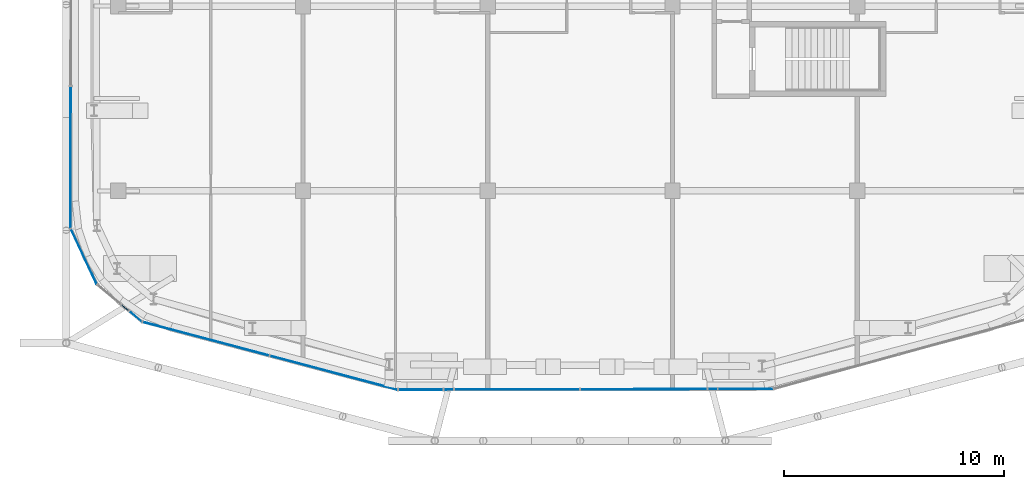
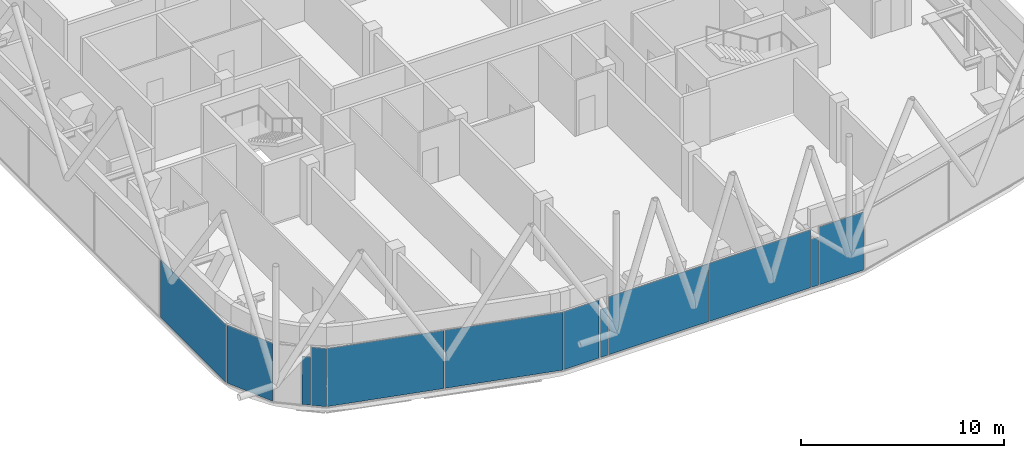
# One storey, part 14 of 25: 12 plates, 10 elements without a shape of their own.
"""IFC4 building model written with IfcOpenShell, lengths in metres."""

from ifc_helpers import new_model, si_unit, direction, frame, origin, origin_2d, place, context, subcontext, project, spatial, rectangle, extrude, material, layer, layer_set, type_object, element, aggregate, save


model = new_model("IFC4")

# Units and contexts
model_context = context("Model", 3, precision=1e-05, world=origin(), true_north=direction((0.0, 1.0)))
body_context = subcontext(model_context, "Body", "Model", "MODEL_VIEW")
ifc_project = project(units=[si_unit("LENGTHUNIT", "METRE"), si_unit("AREAUNIT", "SQUARE_METRE"), si_unit("VOLUMEUNIT", "CUBIC_METRE"), si_unit("PLANEANGLEUNIT", "RADIAN"), si_unit("MASSUNIT", "GRAM", prefix="KILO")], contexts=[model_context])

# Site, building, storey
site_placement = place(None, origin())
site = spatial("IfcSite", under=ifc_project, at=site_placement, CompositionType="ELEMENT")
building_placement = place(site_placement, origin())
building = spatial("IfcBuilding", under=site, at=building_placement, Name="Marenta Gate Hotel Tower", CompositionType="ELEMENT")
storey_placement = place(building_placement, frame((0.0, 0.0, 277.699951171875)))
storey = spatial("IfcBuildingStorey", under=building, at=storey_placement, Name="L64", CompositionType="ELEMENT", Elevation=277.699951171875)

# Curtain wall, plate
ifc_material_1 = material(Name="Tinted insulated glass in bronze anodised frame", Category="glass")
ifc_layer_1 = layer(ifc_material_1, 0.1201171875)
ifc_layer_set_1 = layer_set([ifc_layer_1], Name="Tinted insulated glass in bronze anodised frame")
curtain_wall_type = type_object("IfcCurtainWallType", Name="Tower unitised curtain wall CW1", PredefinedType="NOTDEFINED", material=ifc_layer_set_1)
curtain_wall_1_placement = place(storey_placement, origin())
curtain_wall_1 = element("IfcCurtainWall", 1, at=curtain_wall_1_placement, inside=storey, type_object=curtain_wall_type, Name="CW1 run G04", PredefinedType="NOTDEFINED")
ifc_material_2 = material(Name="Tinted insulated glass", Category="glass")
ifc_layer_2 = layer(ifc_material_2, 0.028076171875)
ifc_layer_set_2 = layer_set([ifc_layer_2], Name="Tinted insulated glass")
plate_type = type_object("IfcPlateType", Name="Glass panel CW1 28 mm tinted insulated unit", PredefinedType="CURTAIN_PANEL", material=ifc_layer_set_2)
plate_1_placement = place(storey_placement, frame((-23.16796875, -23.6787109375, 0.06005859375), z_axis=(0.0, 0.0, 1.0), x_axis=(-0.001566045546, -0.99999877375, 0.0)))
plate_1 = element("IfcPlate", 2, at=plate_1_placement, type_object=plate_type, Name="CW1 panel 6.1", PredefinedType="CURTAIN_PANEL", context=body_context, shape_type="SweptSolid", body=[
    extrude(rectangle(XDim=6.429931640625, YDim=0.028076171875, at=origin_2d()), origin(), (0.0, 0.0, 1.0), 3.47998046875),
])
aggregate(curtain_wall_1, [plate_1])

curtain_wall_2_placement = place(storey_placement, origin())
curtain_wall_2 = element("IfcCurtainWall", 3, at=curtain_wall_2_placement, inside=storey, type_object=curtain_wall_type, Name="CW1 run G05", PredefinedType="NOTDEFINED")
plate_2_placement = place(storey_placement, frame((-22.565185546875, -28.1943359375, 0.06005859375), z_axis=(0.0, 0.0, 1.0), x_axis=(0.42333719762, -0.905972194447, 0.0)))
plate_2 = element("IfcPlate", 4, at=plate_2_placement, type_object=plate_type, Name="CW1 panel 1.1", PredefinedType="CURTAIN_PANEL", context=body_context, shape_type="SweptSolid", body=[
    extrude(rectangle(XDim=2.751220703125, YDim=0.028076171875, at=origin_2d()), origin(), (0.0, 0.0, 1.0), 3.47998046875),
])
aggregate(curtain_wall_2, [plate_2])

curtain_wall_3_placement = place(storey_placement, origin())
curtain_wall_3 = element("IfcCurtainWall", 5, at=curtain_wall_3_placement, inside=storey, type_object=curtain_wall_type, Name="CW1 run G07", PredefinedType="NOTDEFINED")
plate_3_placement = place(storey_placement, frame((-20.70166015625, -30.51220703125, 0.06005859375), z_axis=(0.0, 0.0, 1.0), x_axis=(0.767035648237, -0.641604484347, 0.0)))
plate_3 = element("IfcPlate", 6, at=plate_3_placement, type_object=plate_type, Name="CW1 panel 1.1", PredefinedType="CURTAIN_PANEL", context=body_context, shape_type="SweptSolid", body=[
    extrude(rectangle(XDim=0.41748046875, YDim=0.028076171875, at=origin_2d()), origin(), (0.0, 0.0, 1.0), 2.880615234375),
])
aggregate(curtain_wall_3, [plate_3])

curtain_wall_4_placement = place(storey_placement, origin())
curtain_wall_4 = element("IfcCurtainWall", 7, at=curtain_wall_4_placement, inside=storey, type_object=curtain_wall_type, Name="CW1 run G08", PredefinedType="NOTDEFINED")
plate_4_placement = place(storey_placement, frame((-20.21533203125, -30.918701171875, 0.06005859375), z_axis=(0.0, 0.0, 1.0), x_axis=(0.767131209141, -0.641490224369, 0.0)))
plate_4 = element("IfcPlate", 8, at=plate_4_placement, type_object=plate_type, Name="CW1 panel 1.1", PredefinedType="CURTAIN_PANEL", context=body_context, shape_type="SweptSolid", body=[
    extrude(rectangle(XDim=0.730224609375, YDim=0.028076171875, at=origin_2d()), origin(), (0.0, 0.0, 1.0), 3.47998046875),
])
aggregate(curtain_wall_4, [plate_4])

# Curtain wall, plates
curtain_wall_5_placement = place(storey_placement, origin())
curtain_wall_5 = element("IfcCurtainWall", 9, at=curtain_wall_5_placement, inside=storey, type_object=curtain_wall_type, Name="CW1 run G09", PredefinedType="NOTDEFINED")
plate_5_placement = place(storey_placement, frame((-17.013427734375, -31.930419921875, 0.06005859375), z_axis=(0.0, 0.0, 1.0), x_axis=(0.966375890775, -0.257133501765, 0.0)))
plate_5 = element("IfcPlate", 10, at=plate_5_placement, type_object=plate_type, Name="CW1 panel 1.1", PredefinedType="CURTAIN_PANEL", context=body_context, shape_type="SweptSolid", body=[
    extrude(rectangle(XDim=5.927001953125, YDim=0.028076171875, at=origin_2d()), origin(), (0.0, 0.0, 1.0), 3.47998046875),
])
plate_6_placement = place(storey_placement, frame((-11.198974609375, -33.477783203125, 0.06005859375), z_axis=(0.0, 0.0, 1.0), x_axis=(0.966375890775, -0.257133501765, 0.0)))
plate_6 = element("IfcPlate", 11, at=plate_6_placement, type_object=plate_type, Name="CW1 panel 2.1", PredefinedType="CURTAIN_PANEL", context=body_context, shape_type="SweptSolid", body=[
    extrude(rectangle(XDim=5.98681640625, YDim=0.028076171875, at=origin_2d()), origin(), (0.0, 0.0, 1.0), 3.47998046875),
])
aggregate(curtain_wall_5, [plate_5, plate_6])

# Curtain wall, plate
curtain_wall_6_placement = place(storey_placement, origin())
curtain_wall_6 = element("IfcCurtainWall", 12, at=curtain_wall_6_placement, inside=storey, type_object=curtain_wall_type, Name="CW1 run G10", PredefinedType="NOTDEFINED")
plate_7_placement = place(storey_placement, frame((-7.24267578125, -34.2451171875, 0.06005859375), z_axis=(0.0, 0.0, 1.0), x_axis=(0.999997835954, 0.002080405783, 0.0)))
plate_7 = element("IfcPlate", 13, at=plate_7_placement, type_object=plate_type, Name="CW1 panel 1.1", PredefinedType="CURTAIN_PANEL", context=body_context, shape_type="SweptSolid", body=[
    extrude(rectangle(XDim=2.0068359375, YDim=0.028076171875, at=origin_2d()), origin(), (0.0, 0.0, 1.0), 3.47998046875),
])
aggregate(curtain_wall_6, [plate_7])

curtain_wall_7_placement = place(storey_placement, origin())
curtain_wall_7 = element("IfcCurtainWall", 14, at=curtain_wall_7_placement, inside=storey, type_object=curtain_wall_type, Name="CW1 run G11", PredefinedType="NOTDEFINED")
plate_8_placement = place(storey_placement, frame((-5.97509765625, -34.24267578125, 0.06005859375), z_axis=(0.0, 0.0, 1.0), x_axis=(0.999998153261, 0.001921841419, 0.0)))
plate_8 = element("IfcPlate", 15, at=plate_8_placement, type_object=plate_type, Name="CW1 panel 1.1", PredefinedType="CURTAIN_PANEL", context=body_context, shape_type="SweptSolid", body=[
    extrude(rectangle(XDim=0.408203125, YDim=0.028076171875, at=origin_2d()), origin(), (0.0, 0.0, 1.0), 2.880615234375),
])
aggregate(curtain_wall_7, [plate_8])

# Curtain wall, plates
curtain_wall_8_placement = place(storey_placement, origin())
curtain_wall_8 = element("IfcCurtainWall", 16, at=curtain_wall_8_placement, inside=storey, type_object=curtain_wall_type, Name="CW1 run G12", PredefinedType="NOTDEFINED")
plate_9_placement = place(storey_placement, frame((-2.8720703125, -34.236328125, 0.06005859375), z_axis=(0.0, 0.0, 1.0), x_axis=(0.999997871654, 0.00206317394, 0.0)))
plate_9 = element("IfcPlate", 17, at=plate_9_placement, type_object=plate_type, Name="CW1 panel 1.1", PredefinedType="CURTAIN_PANEL", context=body_context, shape_type="SweptSolid", body=[
    extrude(rectangle(XDim=5.677734375, YDim=0.028076171875, at=origin_2d()), origin(), (0.0, 0.0, 1.0), 3.47998046875),
])
plate_10_placement = place(storey_placement, frame((2.895751953125, -34.224365234375, 0.06005859375), z_axis=(0.0, 0.0, 1.0), x_axis=(0.999997871654, 0.00206317394, 0.0)))
plate_10 = element("IfcPlate", 18, at=plate_10_placement, type_object=plate_type, Name="CW1 panel 2.1", PredefinedType="CURTAIN_PANEL", context=body_context, shape_type="SweptSolid", body=[
    extrude(rectangle(XDim=5.73779296875, YDim=0.028076171875, at=origin_2d()), origin(), (0.0, 0.0, 1.0), 3.47998046875),
])
aggregate(curtain_wall_8, [plate_9, plate_10])

# Curtain wall, plate
curtain_wall_9_placement = place(storey_placement, origin())
curtain_wall_9 = element("IfcCurtainWall", 19, at=curtain_wall_9_placement, inside=storey, type_object=curtain_wall_type, Name="CW1 run G13", PredefinedType="NOTDEFINED")
plate_11_placement = place(storey_placement, frame((6.028564453125, -34.2177734375, 0.06005859375), z_axis=(0.0, 0.0, 1.0), x_axis=(0.999997715201, 0.00213766078, 0.0)))
plate_11 = element("IfcPlate", 20, at=plate_11_placement, type_object=plate_type, Name="CW1 panel 1.1", PredefinedType="CURTAIN_PANEL", context=body_context, shape_type="SweptSolid", body=[
    extrude(rectangle(XDim=0.40771484375, YDim=0.028076171875, at=origin_2d()), origin(), (0.0, 0.0, 1.0), 2.880615234375),
])
aggregate(curtain_wall_9, [plate_11])

curtain_wall_10_placement = place(storey_placement, origin())
curtain_wall_10 = element("IfcCurtainWall", 21, at=curtain_wall_10_placement, inside=storey, type_object=curtain_wall_type, Name="CW1 run G14", PredefinedType="NOTDEFINED")
plate_12_placement = place(storey_placement, frame((7.53369140625, -34.214599609375, 0.06005859375), z_axis=(0.0, 0.0, 1.0), x_axis=(0.999997827478, 0.002084475916, 0.0)))
plate_12 = element("IfcPlate", 22, at=plate_12_placement, type_object=plate_type, Name="CW1 panel 1.1", PredefinedType="CURTAIN_PANEL", context=body_context, shape_type="SweptSolid", body=[
    extrude(rectangle(XDim=2.482666015625, YDim=0.028076171875, at=origin_2d()), origin(), (0.0, 0.0, 1.0), 3.47998046875),
])
aggregate(curtain_wall_10, [plate_12])

save(model, "model.ifc")
